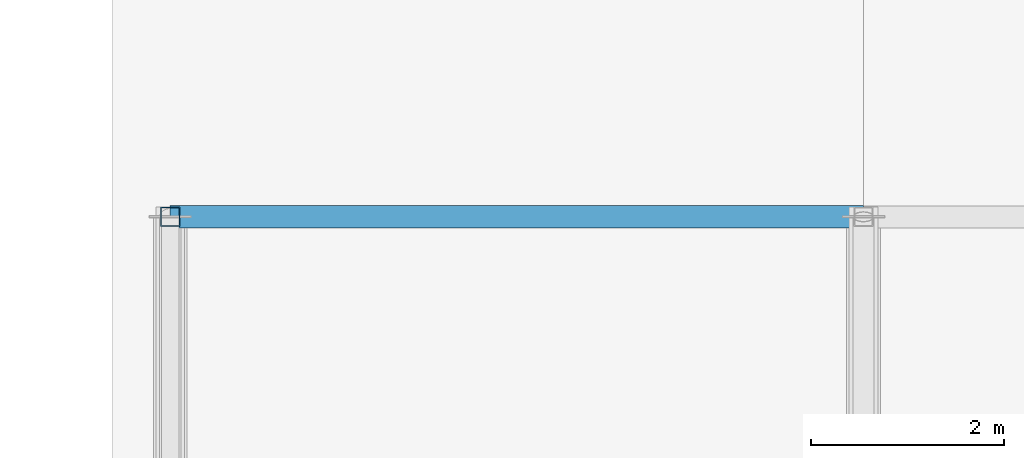
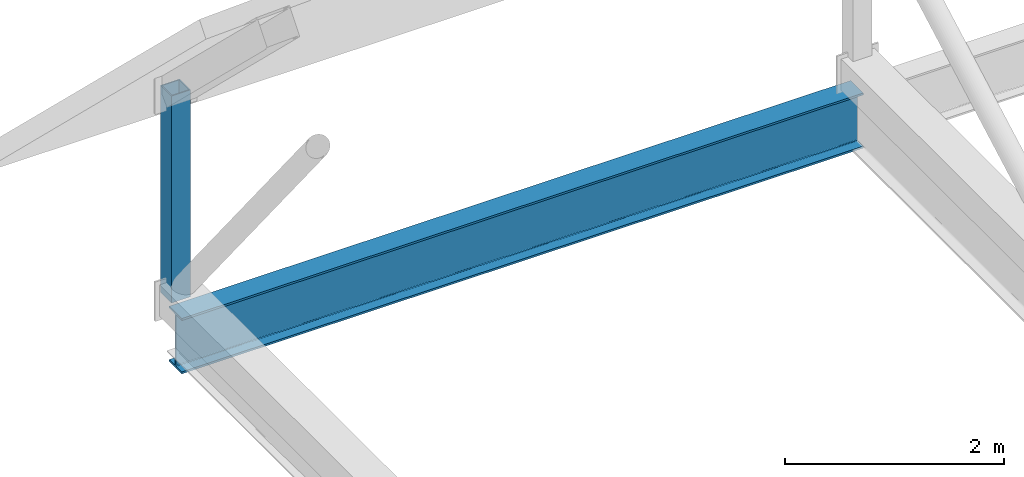
# One storey, part 22 of 99: 1 beam, 1 member.
"""IFC4 building model written with IfcOpenShell, lengths in metres."""

from ifc_helpers import new_model, si_unit, direction, frame, origin, origin_2d, place, context, subcontext, project, spatial, hollow_rectangle, i_section, extrude, material, material_profile, profile_set, type_object, element, save


model = new_model("IFC4")

# Units and contexts
model_context = context("Model", 3, precision=1e-05, world=origin(), true_north=direction((0.0, 1.0)))
body_context = subcontext(model_context, "Body", "Model", "MODEL_VIEW")
ifc_project = project(units=[si_unit("LENGTHUNIT", "METRE"), si_unit("AREAUNIT", "SQUARE_METRE"), si_unit("VOLUMEUNIT", "CUBIC_METRE"), si_unit("PLANEANGLEUNIT", "RADIAN"), si_unit("MASSUNIT", "GRAM", prefix="KILO")], contexts=[model_context])

# Site, building, storey
site_placement = place(None, origin())
site = spatial("IfcSite", under=ifc_project, at=site_placement, CompositionType="ELEMENT")
building_placement = place(site_placement, origin())
building = spatial("IfcBuilding", under=site, at=building_placement, Name="Qelthora Terrace Specialist Clinic", CompositionType="ELEMENT")
storey_placement = place(building_placement, frame((0.0, 0.0, 9.0)))
storey = spatial("IfcBuildingStorey", under=building, at=storey_placement, Name="L02", CompositionType="ELEMENT", Elevation=9.0)

# Beam
ifc_material = material(Name="Steel S355", Category="steel")
ifc_material_profile_1 = material_profile(ifc_material, i_section(OverallWidth=0.22998046875, OverallDepth=0.616943359375, WebThickness=0.01318359375, FlangeThickness=0.022216796875, FilletRadius=0.01611328125, at=origin_2d()), Name="W610X140")
ifc_profile_set_1 = profile_set([ifc_material_profile_1], Name="Steel S355")
beam_type = type_object("IfcBeamType", Name="BM-W610X140", PredefinedType="BEAM", material=ifc_profile_set_1)
beam_placement = place(storey_placement, frame((57.60009765625, 33.60009765625, -0.55859375), z_axis=(1.0, 0.0, 0.0), x_axis=(0.0, 1.0, 0.0)))
element("IfcBeam", 1, at=beam_placement, inside=storey, type_object=beam_type, Name="Girder BMX-L02-0605", PredefinedType="BEAM", context=body_context, shape_type="SweptSolid", body=[
    extrude(i_section(OverallWidth=0.22998046875, OverallDepth=0.616943359375, WebThickness=0.01318359375, FlangeThickness=0.022216796875, FilletRadius=0.01611328125, at=origin_2d()), origin(), (0.0, 0.0, 1.0), 7.199951171875),
])

# Member
ifc_material_profile_2 = material_profile(ifc_material, hollow_rectangle(XDim=0.199951171875, YDim=0.199951171875, WallThickness=0.010009765625, at=origin_2d()), Name="HSS200X200X10")
ifc_profile_set_2 = profile_set([ifc_material_profile_2], Name="Steel S355")
member_type = type_object("IfcMemberType", Name="MEM-BRACE-HSS200", PredefinedType="BRACE", material=ifc_profile_set_2)
member_placement = place(storey_placement, frame((57.60009765625, 33.60009765625, -0.050048828125), z_axis=(0.0, 0.0, 1.0), x_axis=(1.0, 0.0, 0.0)))
element("IfcMember", 2, at=member_placement, inside=storey, type_object=member_type, Name="Hall roof truss TR-1 vertical web 5", PredefinedType="BRACE", context=body_context, shape_type="SweptSolid", body=[
    extrude(hollow_rectangle(XDim=0.199951171875, YDim=0.199951171875, WallThickness=0.010009765625, at=origin_2d()), origin(), (0.0, 0.0, 1.0), 2.31103515625),
])

save(model, "model.ifc")
